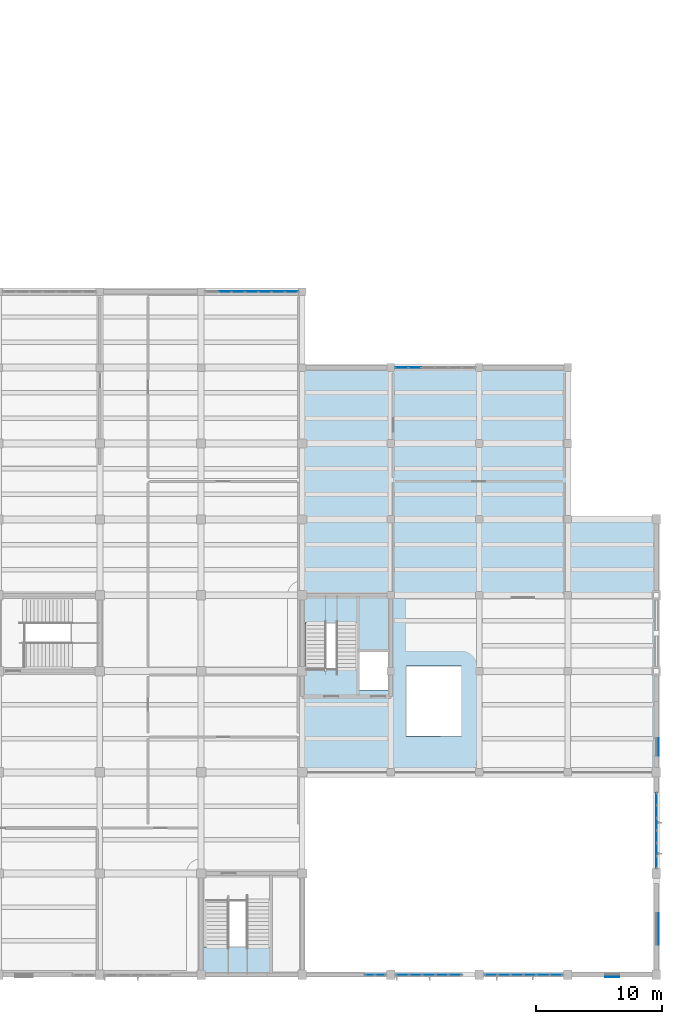
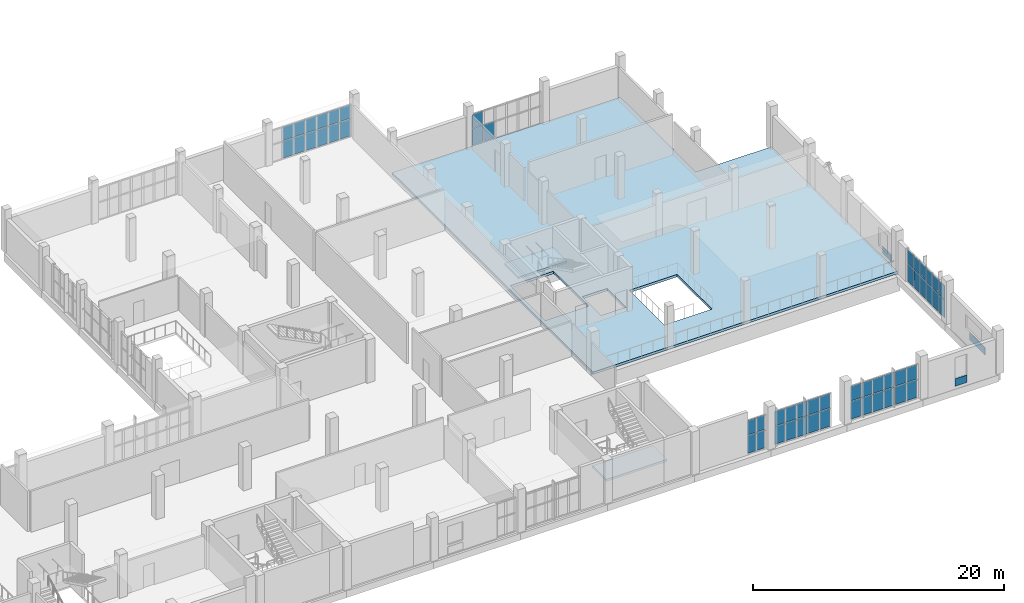
# One storey, part 59 of 85: 56 plates, 3 slabs, 8 elements without a shape of their own.
"""IFC4 building model written with IfcOpenShell, lengths in metres."""

from ifc_helpers import new_model, si_unit, direction, frame, origin, origin_2d, place, context, subcontext, project, spatial, polyline, rectangle, outline, extrude, material, layer, layer_set, type_object, element, aggregate, save


model = new_model("IFC4")

# Units and contexts
model_context = context("Model", 3, precision=1e-05, world=origin(), true_north=direction((0.0, 1.0)))
body_context = subcontext(model_context, "Body", "Model", "MODEL_VIEW")
ifc_project = project(units=[si_unit("LENGTHUNIT", "METRE"), si_unit("AREAUNIT", "SQUARE_METRE"), si_unit("VOLUMEUNIT", "CUBIC_METRE"), si_unit("PLANEANGLEUNIT", "RADIAN"), si_unit("MASSUNIT", "GRAM", prefix="KILO")], contexts=[model_context])

# Site, building, storey
site_placement = place(None, origin())
site = spatial("IfcSite", under=ifc_project, at=site_placement, CompositionType="ELEMENT")
building_placement = place(site_placement, origin())
building = spatial("IfcBuilding", under=site, at=building_placement, Name="Solvane Community Centre", CompositionType="ELEMENT")
storey_placement = place(building_placement, frame((0.0, 0.0, 5.39990234375)))
storey = spatial("IfcBuildingStorey", under=building, at=storey_placement, Name="L01", CompositionType="ELEMENT", Elevation=5.39990234375)

# Plates
ifc_material_1 = material(Name="Anodised bronze aluminium AW-6063 T6", Category="aluminium")
ifc_layer_1 = layer(ifc_material_1, 0.02392578125)
ifc_layer_set_1 = layer_set([ifc_layer_1], Name="Anodised bronze aluminium AW-6063 T6")
plate_type_1 = type_object("IfcPlateType", Name="Bronze Spandrel Cassette 24mm", PredefinedType="SHEET", material=ifc_layer_set_1)
plate_1_placement = place(storey_placement, frame((164.5, 5.81298828125, 0.06005859375), z_axis=(0.0, 0.0, 1.0), x_axis=(-1.0, 0.0, 0.0)))
element("IfcPlate", 1, at=plate_1_placement, inside=storey, type_object=plate_type_1, Name="Art Deco Spandrel SPC-L01-022", PredefinedType="SHEET", context=body_context, shape_type="SweptSolid", body=[
    extrude(rectangle(XDim=1.10009765625, YDim=0.02392578125, at=origin_2d()), origin(), (0.0, 0.0, 1.0), 0.719970703125),
])
plate_2_placement = place(storey_placement, frame((168.18701171875, 24.0, 0.06005859375), z_axis=(0.0, 0.0, 1.0), x_axis=(0.0, -1.0, 0.0)))
element("IfcPlate", 2, at=plate_2_placement, inside=storey, type_object=plate_type_1, Name="Art Deco Spandrel SPC-L01-027", PredefinedType="SHEET", context=body_context, shape_type="SweptSolid", body=[
    extrude(rectangle(XDim=1.39990234375, YDim=0.02392578125, at=origin_2d()), origin(), (0.0, 0.0, 1.0), 0.719970703125),
])
plate_3_placement = place(storey_placement, frame((168.18701171875, 9.60009765625, 0.06005859375), z_axis=(0.0, 0.0, 1.0), x_axis=(0.0, -1.0, 0.0)))
element("IfcPlate", 3, at=plate_3_placement, inside=storey, type_object=plate_type_1, Name="Art Deco Spandrel SPC-L01-028", PredefinedType="SHEET", context=body_context, shape_type="SweptSolid", body=[
    extrude(rectangle(XDim=2.5, YDim=0.02392578125, at=origin_2d()), origin(), (0.0, 0.0, 1.0), 0.719970703125),
])

# Curtain wall, plates
ifc_layer_2 = layer(ifc_material_1, 0.18994140625)
ifc_layer_set_2 = layer_set([ifc_layer_2], Name="Anodised bronze aluminium AW-6063 T6")
curtain_wall_type_1 = type_object("IfcCurtainWallType", Name="Boulevard Bronze Vision Curtain Wall [17x33dm]", PredefinedType="NOTDEFINED", material=ifc_layer_set_2)
curtain_wall_1_placement = place(storey_placement, origin())
curtain_wall_1 = element("IfcCurtainWall", 4, at=curtain_wall_1_placement, inside=storey, type_object=curtain_wall_type_1, Name="Curtain Wall CW-L01-1466_60-075", PredefinedType="NOTDEFINED")
ifc_material_2 = material(Name="Tempered low-E double glazing", Category="glass")
ifc_layer_3 = layer(ifc_material_2, 0.028076171875)
ifc_layer_set_3 = layer_set([ifc_layer_3], Name="Tempered low-E double glazing")
plate_type_2 = type_object("IfcPlateType", Name="Low-E Vision Glazing Panel 28mm [17x33dm]", PredefinedType="CURTAIN_PANEL", material=ifc_layer_set_3)
plate_4_placement = place(storey_placement, frame((146.16943359375, 6.0, 0.06005859375), z_axis=(0.0, 0.0, 1.0), x_axis=(-1.0, 0.0, 0.0)))
plate_4 = element("IfcPlate", 5, at=plate_4_placement, type_object=plate_type_2, Name="CW02-17x33 panel 1.1", PredefinedType="CURTAIN_PANEL", context=body_context, shape_type="SweptSolid", body=[
    extrude(rectangle(XDim=0.7509765625, YDim=0.028076171875, at=origin_2d()), origin(), (0.0, 0.0, 1.0), 1.73291015625),
])
plate_5_placement = place(storey_placement, frame((146.16943359375, 6.0, 1.85302734375), z_axis=(0.0, 0.0, 1.0), x_axis=(-1.0, 0.0, 0.0)))
plate_5 = element("IfcPlate", 6, at=plate_5_placement, type_object=plate_type_2, Name="CW02-17x33 panel 1.2", PredefinedType="CURTAIN_PANEL", context=body_context, shape_type="SweptSolid", body=[
    extrude(rectangle(XDim=0.7509765625, YDim=0.028076171875, at=origin_2d()), origin(), (0.0, 0.0, 1.0), 1.402099609375),
])
plate_6_placement = place(storey_placement, frame((145.358642578125, 6.0, 0.06005859375), z_axis=(0.0, 0.0, 1.0), x_axis=(-1.0, 0.0, 0.0)))
plate_6 = element("IfcPlate", 7, at=plate_6_placement, type_object=plate_type_2, Name="CW02-17x33 panel 2.1", PredefinedType="CURTAIN_PANEL", context=body_context, shape_type="SweptSolid", body=[
    extrude(rectangle(XDim=0.7509765625, YDim=0.028076171875, at=origin_2d()), origin(), (0.0, 0.0, 1.0), 1.73291015625),
])
plate_7_placement = place(storey_placement, frame((145.358642578125, 6.0, 1.85302734375), z_axis=(0.0, 0.0, 1.0), x_axis=(-1.0, 0.0, 0.0)))
plate_7 = element("IfcPlate", 8, at=plate_7_placement, type_object=plate_type_2, Name="CW02-17x33 panel 2.2", PredefinedType="CURTAIN_PANEL", context=body_context, shape_type="SweptSolid", body=[
    extrude(rectangle(XDim=0.7509765625, YDim=0.028076171875, at=origin_2d()), origin(), (0.0, 0.0, 1.0), 1.402099609375),
])
aggregate(curtain_wall_1, [plate_4, plate_5, plate_6, plate_7])

ifc_layer_4 = layer(ifc_material_1, 0.18994140625)
ifc_layer_set_4 = layer_set([ifc_layer_4], Name="Anodised bronze aluminium AW-6063 T6")
curtain_wall_type_2 = type_object("IfcCurtainWallType", Name="Boulevard Bronze Vision Curtain Wall [52x33dm]", PredefinedType="NOTDEFINED", material=ifc_layer_set_4)
curtain_wall_2_placement = place(storey_placement, origin())
curtain_wall_2 = element("IfcCurtainWall", 9, at=curtain_wall_2_placement, inside=storey, type_object=curtain_wall_type_2, Name="Curtain Wall CW-L01-1526_60-074", PredefinedType="NOTDEFINED")
ifc_layer_5 = layer(ifc_material_2, 0.028076171875)
ifc_layer_set_5 = layer_set([ifc_layer_5], Name="Tempered low-E double glazing")
plate_type_3 = type_object("IfcPlateType", Name="Low-E Vision Glazing Panel 28mm [52x33dm]", PredefinedType="CURTAIN_PANEL", material=ifc_layer_set_5)
plate_8_placement = place(storey_placement, frame((152.078369140625, 6.0, 0.06005859375), z_axis=(0.0, 0.0, 1.0), x_axis=(-1.0, 0.0, 0.0)))
plate_8 = element("IfcPlate", 10, at=plate_8_placement, type_object=plate_type_3, Name="CW02-52x33 panel 1.1", PredefinedType="CURTAIN_PANEL", context=body_context, shape_type="SweptSolid", body=[
    extrude(rectangle(XDim=0.9541015625, YDim=0.028076171875, at=origin_2d()), origin(), (0.0, 0.0, 1.0), 1.73291015625),
])
plate_9_placement = place(storey_placement, frame((152.078369140625, 6.0, 1.85302734375), z_axis=(0.0, 0.0, 1.0), x_axis=(-1.0, 0.0, 0.0)))
plate_9 = element("IfcPlate", 11, at=plate_9_placement, type_object=plate_type_3, Name="CW02-52x33 panel 1.2", PredefinedType="CURTAIN_PANEL", context=body_context, shape_type="SweptSolid", body=[
    extrude(rectangle(XDim=0.9541015625, YDim=0.028076171875, at=origin_2d()), origin(), (0.0, 0.0, 1.0), 1.402099609375),
])
plate_10_placement = place(storey_placement, frame((151.04931640625, 6.0, 0.06005859375), z_axis=(0.0, 0.0, 1.0), x_axis=(-1.0, 0.0, 0.0)))
plate_10 = element("IfcPlate", 12, at=plate_10_placement, type_object=plate_type_3, Name="CW02-52x33 panel 2.1", PredefinedType="CURTAIN_PANEL", context=body_context, shape_type="SweptSolid", body=[
    extrude(rectangle(XDim=0.984130859375, YDim=0.028076171875, at=origin_2d()), origin(), (0.0, 0.0, 1.0), 1.73291015625),
])
plate_11_placement = place(storey_placement, frame((151.04931640625, 6.0, 1.85302734375), z_axis=(0.0, 0.0, 1.0), x_axis=(-1.0, 0.0, 0.0)))
plate_11 = element("IfcPlate", 13, at=plate_11_placement, type_object=plate_type_3, Name="CW02-52x33 panel 2.2", PredefinedType="CURTAIN_PANEL", context=body_context, shape_type="SweptSolid", body=[
    extrude(rectangle(XDim=0.984130859375, YDim=0.028076171875, at=origin_2d()), origin(), (0.0, 0.0, 1.0), 1.402099609375),
])
plate_12_placement = place(storey_placement, frame((150.005126953125, 6.0, 0.06005859375), z_axis=(0.0, 0.0, 1.0), x_axis=(-1.0, 0.0, 0.0)))
plate_12 = element("IfcPlate", 14, at=plate_12_placement, type_object=plate_type_3, Name="CW02-52x33 panel 3.1", PredefinedType="CURTAIN_PANEL", context=body_context, shape_type="SweptSolid", body=[
    extrude(rectangle(XDim=0.984130859375, YDim=0.028076171875, at=origin_2d()), origin(), (0.0, 0.0, 1.0), 1.73291015625),
])
plate_13_placement = place(storey_placement, frame((150.005126953125, 6.0, 1.85302734375), z_axis=(0.0, 0.0, 1.0), x_axis=(-1.0, 0.0, 0.0)))
plate_13 = element("IfcPlate", 15, at=plate_13_placement, type_object=plate_type_3, Name="CW02-52x33 panel 3.2", PredefinedType="CURTAIN_PANEL", context=body_context, shape_type="SweptSolid", body=[
    extrude(rectangle(XDim=0.984130859375, YDim=0.028076171875, at=origin_2d()), origin(), (0.0, 0.0, 1.0), 1.402099609375),
])
plate_14_placement = place(storey_placement, frame((148.961181640625, 6.0, 0.06005859375), z_axis=(0.0, 0.0, 1.0), x_axis=(-1.0, 0.0, 0.0)))
plate_14 = element("IfcPlate", 16, at=plate_14_placement, type_object=plate_type_3, Name="CW02-52x33 panel 4.1", PredefinedType="CURTAIN_PANEL", context=body_context, shape_type="SweptSolid", body=[
    extrude(rectangle(XDim=0.984130859375, YDim=0.028076171875, at=origin_2d()), origin(), (0.0, 0.0, 1.0), 1.73291015625),
])
plate_15_placement = place(storey_placement, frame((148.961181640625, 6.0, 1.85302734375), z_axis=(0.0, 0.0, 1.0), x_axis=(-1.0, 0.0, 0.0)))
plate_15 = element("IfcPlate", 17, at=plate_15_placement, type_object=plate_type_3, Name="CW02-52x33 panel 4.2", PredefinedType="CURTAIN_PANEL", context=body_context, shape_type="SweptSolid", body=[
    extrude(rectangle(XDim=0.984130859375, YDim=0.028076171875, at=origin_2d()), origin(), (0.0, 0.0, 1.0), 1.402099609375),
])
plate_16_placement = place(storey_placement, frame((147.93212890625, 6.0, 0.06005859375), z_axis=(0.0, 0.0, 1.0), x_axis=(-1.0, 0.0, 0.0)))
plate_16 = element("IfcPlate", 18, at=plate_16_placement, type_object=plate_type_3, Name="CW02-52x33 panel 5.1", PredefinedType="CURTAIN_PANEL", context=body_context, shape_type="SweptSolid", body=[
    extrude(rectangle(XDim=0.9541015625, YDim=0.028076171875, at=origin_2d()), origin(), (0.0, 0.0, 1.0), 1.73291015625),
])
plate_17_placement = place(storey_placement, frame((147.93212890625, 6.0, 1.85302734375), z_axis=(0.0, 0.0, 1.0), x_axis=(-1.0, 0.0, 0.0)))
plate_17 = element("IfcPlate", 19, at=plate_17_placement, type_object=plate_type_3, Name="CW02-52x33 panel 5.2", PredefinedType="CURTAIN_PANEL", context=body_context, shape_type="SweptSolid", body=[
    extrude(rectangle(XDim=0.9541015625, YDim=0.028076171875, at=origin_2d()), origin(), (0.0, 0.0, 1.0), 1.402099609375),
])
aggregate(curtain_wall_2, [plate_8, plate_9, plate_10, plate_11, plate_12, plate_13, plate_14, plate_15, plate_16, plate_17])

ifc_layer_6 = layer(ifc_material_1, 0.18994140625)
ifc_layer_set_6 = layer_set([ifc_layer_6], Name="Anodised bronze aluminium AW-6063 T6")
curtain_wall_type_3 = type_object("IfcCurtainWallType", Name="Boulevard Bronze Vision Curtain Wall [60x32dm]", PredefinedType="NOTDEFINED", material=ifc_layer_set_6)
curtain_wall_3_placement = place(storey_placement, origin())
curtain_wall_3 = element("IfcCurtainWall", 20, at=curtain_wall_3_placement, inside=storey, type_object=curtain_wall_type_3, Name="Curtain Wall CW-L01-1680_204-121", PredefinedType="NOTDEFINED")
ifc_layer_7 = layer(ifc_material_2, 0.028076171875)
ifc_layer_set_7 = layer_set([ifc_layer_7], Name="Tempered low-E double glazing")
plate_type_4 = type_object("IfcPlateType", Name="Low-E Vision Glazing Panel 28mm [60x32dm]", PredefinedType="CURTAIN_PANEL", material=ifc_layer_set_7)
plate_18_placement = place(storey_placement, frame((168.0, 19.884521484375, 0.06005859375), z_axis=(0.0, 0.0, 1.0), x_axis=(0.0, -1.0, 0.0)))
plate_18 = element("IfcPlate", 21, at=plate_18_placement, type_object=plate_type_4, Name="CW02-60x32 panel 1.1", PredefinedType="CURTAIN_PANEL", context=body_context, shape_type="SweptSolid", body=[
    extrude(rectangle(XDim=0.910888671875, YDim=0.028076171875, at=origin_2d()), origin(), (0.0, 0.0, 1.0), 1.68408203125),
])
plate_19_placement = place(storey_placement, frame((168.0, 19.884521484375, 1.80419921875), z_axis=(0.0, 0.0, 1.0), x_axis=(0.0, -1.0, 0.0)))
plate_19 = element("IfcPlate", 22, at=plate_19_placement, type_object=plate_type_4, Name="CW02-60x32 panel 1.2", PredefinedType="CURTAIN_PANEL", context=body_context, shape_type="SweptSolid", body=[
    extrude(rectangle(XDim=0.910888671875, YDim=0.028076171875, at=origin_2d()), origin(), (0.0, 0.0, 1.0), 1.361083984375),
])
plate_20_placement = place(storey_placement, frame((168.0, 18.898681640625, 0.06005859375), z_axis=(0.0, 0.0, 1.0), x_axis=(0.0, -1.0, 0.0)))
plate_20 = element("IfcPlate", 23, at=plate_20_placement, type_object=plate_type_4, Name="CW02-60x32 panel 2.1", PredefinedType="CURTAIN_PANEL", context=body_context, shape_type="SweptSolid", body=[
    extrude(rectangle(XDim=0.94091796875, YDim=0.028076171875, at=origin_2d()), origin(), (0.0, 0.0, 1.0), 1.68408203125),
])
plate_21_placement = place(storey_placement, frame((168.0, 18.898681640625, 1.80419921875), z_axis=(0.0, 0.0, 1.0), x_axis=(0.0, -1.0, 0.0)))
plate_21 = element("IfcPlate", 24, at=plate_21_placement, type_object=plate_type_4, Name="CW02-60x32 panel 2.2", PredefinedType="CURTAIN_PANEL", context=body_context, shape_type="SweptSolid", body=[
    extrude(rectangle(XDim=0.94091796875, YDim=0.028076171875, at=origin_2d()), origin(), (0.0, 0.0, 1.0), 1.361083984375),
])
plate_22_placement = place(storey_placement, frame((168.0, 17.89794921875, 0.06005859375), z_axis=(0.0, 0.0, 1.0), x_axis=(0.0, -1.0, 0.0)))
plate_22 = element("IfcPlate", 25, at=plate_22_placement, type_object=plate_type_4, Name="CW02-60x32 panel 3.1", PredefinedType="CURTAIN_PANEL", context=body_context, shape_type="SweptSolid", body=[
    extrude(rectangle(XDim=0.94091796875, YDim=0.028076171875, at=origin_2d()), origin(), (0.0, 0.0, 1.0), 1.68408203125),
])
plate_23_placement = place(storey_placement, frame((168.0, 17.89794921875, 1.80419921875), z_axis=(0.0, 0.0, 1.0), x_axis=(0.0, -1.0, 0.0)))
plate_23 = element("IfcPlate", 26, at=plate_23_placement, type_object=plate_type_4, Name="CW02-60x32 panel 3.2", PredefinedType="CURTAIN_PANEL", context=body_context, shape_type="SweptSolid", body=[
    extrude(rectangle(XDim=0.94091796875, YDim=0.028076171875, at=origin_2d()), origin(), (0.0, 0.0, 1.0), 1.361083984375),
])
plate_24_placement = place(storey_placement, frame((168.0, 16.89697265625, 0.06005859375), z_axis=(0.0, 0.0, 1.0), x_axis=(0.0, -1.0, 0.0)))
plate_24 = element("IfcPlate", 27, at=plate_24_placement, type_object=plate_type_4, Name="CW02-60x32 panel 4.1", PredefinedType="CURTAIN_PANEL", context=body_context, shape_type="SweptSolid", body=[
    extrude(rectangle(XDim=0.94091796875, YDim=0.028076171875, at=origin_2d()), origin(), (0.0, 0.0, 1.0), 1.68408203125),
])
plate_25_placement = place(storey_placement, frame((168.0, 16.89697265625, 1.80419921875), z_axis=(0.0, 0.0, 1.0), x_axis=(0.0, -1.0, 0.0)))
plate_25 = element("IfcPlate", 28, at=plate_25_placement, type_object=plate_type_4, Name="CW02-60x32 panel 4.2", PredefinedType="CURTAIN_PANEL", context=body_context, shape_type="SweptSolid", body=[
    extrude(rectangle(XDim=0.94091796875, YDim=0.028076171875, at=origin_2d()), origin(), (0.0, 0.0, 1.0), 1.361083984375),
])
plate_26_placement = place(storey_placement, frame((168.0, 15.896240234375, 0.06005859375), z_axis=(0.0, 0.0, 1.0), x_axis=(0.0, -1.0, 0.0)))
plate_26 = element("IfcPlate", 29, at=plate_26_placement, type_object=plate_type_4, Name="CW02-60x32 panel 5.1", PredefinedType="CURTAIN_PANEL", context=body_context, shape_type="SweptSolid", body=[
    extrude(rectangle(XDim=0.94091796875, YDim=0.028076171875, at=origin_2d()), origin(), (0.0, 0.0, 1.0), 1.68408203125),
])
plate_27_placement = place(storey_placement, frame((168.0, 15.896240234375, 1.80419921875), z_axis=(0.0, 0.0, 1.0), x_axis=(0.0, -1.0, 0.0)))
plate_27 = element("IfcPlate", 30, at=plate_27_placement, type_object=plate_type_4, Name="CW02-60x32 panel 5.2", PredefinedType="CURTAIN_PANEL", context=body_context, shape_type="SweptSolid", body=[
    extrude(rectangle(XDim=0.94091796875, YDim=0.028076171875, at=origin_2d()), origin(), (0.0, 0.0, 1.0), 1.361083984375),
])
plate_28_placement = place(storey_placement, frame((168.0, 14.910400390625, 0.06005859375), z_axis=(0.0, 0.0, 1.0), x_axis=(0.0, -1.0, 0.0)))
plate_28 = element("IfcPlate", 31, at=plate_28_placement, type_object=plate_type_4, Name="CW02-60x32 panel 6.1", PredefinedType="CURTAIN_PANEL", context=body_context, shape_type="SweptSolid", body=[
    extrude(rectangle(XDim=0.910888671875, YDim=0.028076171875, at=origin_2d()), origin(), (0.0, 0.0, 1.0), 1.68408203125),
])
plate_29_placement = place(storey_placement, frame((168.0, 14.910400390625, 1.80419921875), z_axis=(0.0, 0.0, 1.0), x_axis=(0.0, -1.0, 0.0)))
plate_29 = element("IfcPlate", 32, at=plate_29_placement, type_object=plate_type_4, Name="CW02-60x32 panel 6.2", PredefinedType="CURTAIN_PANEL", context=body_context, shape_type="SweptSolid", body=[
    extrude(rectangle(XDim=0.910888671875, YDim=0.028076171875, at=origin_2d()), origin(), (0.0, 0.0, 1.0), 1.361083984375),
])
aggregate(curtain_wall_3, [plate_18, plate_19, plate_20, plate_21, plate_22, plate_23, plate_24, plate_25, plate_26, plate_27, plate_28, plate_29])

ifc_layer_8 = layer(ifc_material_1, 0.18994140625)
ifc_layer_set_8 = layer_set([ifc_layer_8], Name="Anodised bronze aluminium AW-6063 T6")
curtain_wall_type_4 = type_object("IfcCurtainWallType", Name="Boulevard Bronze Vision Curtain Wall [62x33dm]", PredefinedType="NOTDEFINED", material=ifc_layer_set_8)
curtain_wall_4_placement = place(storey_placement, origin())
curtain_wall_4 = element("IfcCurtainWall", 33, at=curtain_wall_4_placement, inside=storey, type_object=curtain_wall_type_4, Name="Curtain Wall CW-L01-1606_60-073", PredefinedType="NOTDEFINED")
ifc_layer_9 = layer(ifc_material_2, 0.028076171875)
ifc_layer_set_9 = layer_set([ifc_layer_9], Name="Tempered low-E double glazing")
plate_type_5 = type_object("IfcPlateType", Name="Low-E Vision Glazing Panel 28mm [62x33dm]", PredefinedType="CURTAIN_PANEL", material=ifc_layer_set_9)
plate_30_placement = place(storey_placement, frame((160.072509765625, 6.0, 0.06005859375), z_axis=(0.0, 0.0, 1.0), x_axis=(-1.0, 0.0, 0.0)))
plate_30 = element("IfcPlate", 34, at=plate_30_placement, type_object=plate_type_5, Name="CW02-62x33 panel 1.1", PredefinedType="CURTAIN_PANEL", context=body_context, shape_type="SweptSolid", body=[
    extrude(rectangle(XDim=0.945068359375, YDim=0.028076171875, at=origin_2d()), origin(), (0.0, 0.0, 1.0), 1.73291015625),
])
plate_31_placement = place(storey_placement, frame((160.072509765625, 6.0, 1.85302734375), z_axis=(0.0, 0.0, 1.0), x_axis=(-1.0, 0.0, 0.0)))
plate_31 = element("IfcPlate", 35, at=plate_31_placement, type_object=plate_type_5, Name="CW02-62x33 panel 1.2", PredefinedType="CURTAIN_PANEL", context=body_context, shape_type="SweptSolid", body=[
    extrude(rectangle(XDim=0.945068359375, YDim=0.028076171875, at=origin_2d()), origin(), (0.0, 0.0, 1.0), 1.402099609375),
])
plate_32_placement = place(storey_placement, frame((159.052490234375, 6.0, 0.06005859375), z_axis=(0.0, 0.0, 1.0), x_axis=(-1.0, 0.0, 0.0)))
plate_32 = element("IfcPlate", 36, at=plate_32_placement, type_object=plate_type_5, Name="CW02-62x33 panel 2.1", PredefinedType="CURTAIN_PANEL", context=body_context, shape_type="SweptSolid", body=[
    extrude(rectangle(XDim=0.97509765625, YDim=0.028076171875, at=origin_2d()), origin(), (0.0, 0.0, 1.0), 1.73291015625),
])
plate_33_placement = place(storey_placement, frame((159.052490234375, 6.0, 1.85302734375), z_axis=(0.0, 0.0, 1.0), x_axis=(-1.0, 0.0, 0.0)))
plate_33 = element("IfcPlate", 37, at=plate_33_placement, type_object=plate_type_5, Name="CW02-62x33 panel 2.2", PredefinedType="CURTAIN_PANEL", context=body_context, shape_type="SweptSolid", body=[
    extrude(rectangle(XDim=0.97509765625, YDim=0.028076171875, at=origin_2d()), origin(), (0.0, 0.0, 1.0), 1.402099609375),
])
plate_34_placement = place(storey_placement, frame((158.017578125, 6.0, 0.06005859375), z_axis=(0.0, 0.0, 1.0), x_axis=(-1.0, 0.0, 0.0)))
plate_34 = element("IfcPlate", 38, at=plate_34_placement, type_object=plate_type_5, Name="CW02-62x33 panel 3.1", PredefinedType="CURTAIN_PANEL", context=body_context, shape_type="SweptSolid", body=[
    extrude(rectangle(XDim=0.97509765625, YDim=0.028076171875, at=origin_2d()), origin(), (0.0, 0.0, 1.0), 1.73291015625),
])
plate_35_placement = place(storey_placement, frame((158.017578125, 6.0, 1.85302734375), z_axis=(0.0, 0.0, 1.0), x_axis=(-1.0, 0.0, 0.0)))
plate_35 = element("IfcPlate", 39, at=plate_35_placement, type_object=plate_type_5, Name="CW02-62x33 panel 3.2", PredefinedType="CURTAIN_PANEL", context=body_context, shape_type="SweptSolid", body=[
    extrude(rectangle(XDim=0.97509765625, YDim=0.028076171875, at=origin_2d()), origin(), (0.0, 0.0, 1.0), 1.402099609375),
])
plate_36_placement = place(storey_placement, frame((156.982421875, 6.0, 0.06005859375), z_axis=(0.0, 0.0, 1.0), x_axis=(-1.0, 0.0, 0.0)))
plate_36 = element("IfcPlate", 40, at=plate_36_placement, type_object=plate_type_5, Name="CW02-62x33 panel 4.1", PredefinedType="CURTAIN_PANEL", context=body_context, shape_type="SweptSolid", body=[
    extrude(rectangle(XDim=0.97509765625, YDim=0.028076171875, at=origin_2d()), origin(), (0.0, 0.0, 1.0), 1.73291015625),
])
plate_37_placement = place(storey_placement, frame((156.982421875, 6.0, 1.85302734375), z_axis=(0.0, 0.0, 1.0), x_axis=(-1.0, 0.0, 0.0)))
plate_37 = element("IfcPlate", 41, at=plate_37_placement, type_object=plate_type_5, Name="CW02-62x33 panel 4.2", PredefinedType="CURTAIN_PANEL", context=body_context, shape_type="SweptSolid", body=[
    extrude(rectangle(XDim=0.97509765625, YDim=0.028076171875, at=origin_2d()), origin(), (0.0, 0.0, 1.0), 1.402099609375),
])
plate_38_placement = place(storey_placement, frame((155.947509765625, 6.0, 0.06005859375), z_axis=(0.0, 0.0, 1.0), x_axis=(-1.0, 0.0, 0.0)))
plate_38 = element("IfcPlate", 42, at=plate_38_placement, type_object=plate_type_5, Name="CW02-62x33 panel 5.1", PredefinedType="CURTAIN_PANEL", context=body_context, shape_type="SweptSolid", body=[
    extrude(rectangle(XDim=0.97509765625, YDim=0.028076171875, at=origin_2d()), origin(), (0.0, 0.0, 1.0), 1.73291015625),
])
plate_39_placement = place(storey_placement, frame((155.947509765625, 6.0, 1.85302734375), z_axis=(0.0, 0.0, 1.0), x_axis=(-1.0, 0.0, 0.0)))
plate_39 = element("IfcPlate", 43, at=plate_39_placement, type_object=plate_type_5, Name="CW02-62x33 panel 5.2", PredefinedType="CURTAIN_PANEL", context=body_context, shape_type="SweptSolid", body=[
    extrude(rectangle(XDim=0.97509765625, YDim=0.028076171875, at=origin_2d()), origin(), (0.0, 0.0, 1.0), 1.402099609375),
])
plate_40_placement = place(storey_placement, frame((154.927490234375, 6.0, 0.06005859375), z_axis=(0.0, 0.0, 1.0), x_axis=(-1.0, 0.0, 0.0)))
plate_40 = element("IfcPlate", 44, at=plate_40_placement, type_object=plate_type_5, Name="CW02-62x33 panel 6.1", PredefinedType="CURTAIN_PANEL", context=body_context, shape_type="SweptSolid", body=[
    extrude(rectangle(XDim=0.945068359375, YDim=0.028076171875, at=origin_2d()), origin(), (0.0, 0.0, 1.0), 1.73291015625),
])
plate_41_placement = place(storey_placement, frame((154.927490234375, 6.0, 1.85302734375), z_axis=(0.0, 0.0, 1.0), x_axis=(-1.0, 0.0, 0.0)))
plate_41 = element("IfcPlate", 45, at=plate_41_placement, type_object=plate_type_5, Name="CW02-62x33 panel 6.2", PredefinedType="CURTAIN_PANEL", context=body_context, shape_type="SweptSolid", body=[
    extrude(rectangle(XDim=0.945068359375, YDim=0.028076171875, at=origin_2d()), origin(), (0.0, 0.0, 1.0), 1.402099609375),
])
aggregate(curtain_wall_4, [plate_30, plate_31, plate_32, plate_33, plate_34, plate_35, plate_36, plate_37, plate_38, plate_39, plate_40, plate_41])

ifc_layer_10 = layer(ifc_material_1, 0.18994140625)
ifc_layer_set_10 = layer_set([ifc_layer_10], Name="Anodised bronze aluminium AW-6063 T6")
curtain_wall_type_5 = type_object("IfcCurtainWallType", Name="Boulevard Bronze Vision Curtain Wall [64x31dm]", PredefinedType="NOTDEFINED", material=ifc_layer_set_10)
curtain_wall_5_placement = place(storey_placement, origin())
curtain_wall_5 = element("IfcCurtainWall", 46, at=curtain_wall_5_placement, inside=storey, type_object=curtain_wall_type_5, Name="Curtain Wall CW-L01-1473_540-120", PredefinedType="NOTDEFINED")
ifc_layer_11 = layer(ifc_material_2, 0.028076171875)
ifc_layer_set_11 = layer_set([ifc_layer_11], Name="Tempered low-E double glazing")
plate_type_6 = type_object("IfcPlateType", Name="Low-E Vision Glazing Panel 28mm [64x31dm]", PredefinedType="CURTAIN_PANEL", material=ifc_layer_set_11)
plate_42_placement = place(storey_placement, frame((147.864990234375, 54.0, 0.06005859375), z_axis=(0.0, 0.0, 1.0), x_axis=(1.0, 0.0, 0.0)))
plate_42 = element("IfcPlate", 47, at=plate_42_placement, type_object=plate_type_6, Name="CW02-64x31 panel 1.1", PredefinedType="CURTAIN_PANEL", context=body_context, shape_type="SweptSolid", body=[
    extrude(rectangle(XDim=0.969970703125, YDim=0.028076171875, at=origin_2d()), origin(), (0.0, 0.0, 1.0), 1.634033203125),
])
plate_43_placement = place(storey_placement, frame((147.864990234375, 54.0, 1.75390625), z_axis=(0.0, 0.0, 1.0), x_axis=(1.0, 0.0, 0.0)))
plate_43 = element("IfcPlate", 48, at=plate_43_placement, type_object=plate_type_6, Name="CW02-64x31 panel 1.2", PredefinedType="CURTAIN_PANEL", context=body_context, shape_type="SweptSolid", body=[
    extrude(rectangle(XDim=0.969970703125, YDim=0.028076171875, at=origin_2d()), origin(), (0.0, 0.0, 1.0), 1.321044921875),
])
plate_44_placement = place(storey_placement, frame((148.909912109375, 54.0, 0.06005859375), z_axis=(0.0, 0.0, 1.0), x_axis=(1.0, 0.0, 0.0)))
plate_44 = element("IfcPlate", 49, at=plate_44_placement, type_object=plate_type_6, Name="CW02-64x31 panel 2.1", PredefinedType="CURTAIN_PANEL", context=body_context, shape_type="SweptSolid", body=[
    extrude(rectangle(XDim=1.0, YDim=0.028076171875, at=origin_2d()), origin(), (0.0, 0.0, 1.0), 1.634033203125),
])
aggregate(curtain_wall_5, [plate_42, plate_43, plate_44])

ifc_layer_12 = layer(ifc_material_1, 0.18994140625)
ifc_layer_set_12 = layer_set([ifc_layer_12], Name="Anodised bronze aluminium AW-6063 T6")
curtain_wall_type_6 = type_object("IfcCurtainWallType", Name="Boulevard Bronze Vision Curtain Wall [74x32dm]", PredefinedType="NOTDEFINED", material=ifc_layer_set_12)
curtain_wall_6_placement = place(storey_placement, origin())
curtain_wall_6 = element("IfcCurtainWall", 50, at=curtain_wall_6_placement, inside=storey, type_object=curtain_wall_type_6, Name="Curtain Wall CW-L01-1323_600-119", PredefinedType="NOTDEFINED")
ifc_layer_13 = layer(ifc_material_2, 0.028076171875)
ifc_layer_set_13 = layer_set([ifc_layer_13], Name="Tempered low-E double glazing")
plate_type_7 = type_object("IfcPlateType", Name="Low-E Vision Glazing Panel 28mm [74x32dm]", PredefinedType="CURTAIN_PANEL", material=ifc_layer_set_13)
plate_45_placement = place(storey_placement, frame((133.894287109375, 60.0, 0.06005859375), z_axis=(0.0, 0.0, 1.0), x_axis=(1.0, 0.0, 0.0)))
plate_45 = element("IfcPlate", 51, at=plate_45_placement, type_object=plate_type_7, Name="CW02-74x32 panel 2.1", PredefinedType="CURTAIN_PANEL", context=body_context, shape_type="SweptSolid", body=[
    extrude(rectangle(XDim=0.992919921875, YDim=0.028076171875, at=origin_2d()), origin(), (0.0, 0.0, 1.0), 1.65087890625),
])
plate_46_placement = place(storey_placement, frame((133.894287109375, 60.0, 1.77099609375), z_axis=(0.0, 0.0, 1.0), x_axis=(1.0, 0.0, 0.0)))
plate_46 = element("IfcPlate", 52, at=plate_46_placement, type_object=plate_type_7, Name="CW02-74x32 panel 2.2", PredefinedType="CURTAIN_PANEL", context=body_context, shape_type="SweptSolid", body=[
    extrude(rectangle(XDim=0.992919921875, YDim=0.028076171875, at=origin_2d()), origin(), (0.0, 0.0, 1.0), 1.333984375),
])
plate_47_placement = place(storey_placement, frame((134.947021484375, 60.0, 0.06005859375), z_axis=(0.0, 0.0, 1.0), x_axis=(1.0, 0.0, 0.0)))
plate_47 = element("IfcPlate", 53, at=plate_47_placement, type_object=plate_type_7, Name="CW02-74x32 panel 3.1", PredefinedType="CURTAIN_PANEL", context=body_context, shape_type="SweptSolid", body=[
    extrude(rectangle(XDim=0.992919921875, YDim=0.028076171875, at=origin_2d()), origin(), (0.0, 0.0, 1.0), 1.65087890625),
])
plate_48_placement = place(storey_placement, frame((134.947021484375, 60.0, 1.77099609375), z_axis=(0.0, 0.0, 1.0), x_axis=(1.0, 0.0, 0.0)))
plate_48 = element("IfcPlate", 54, at=plate_48_placement, type_object=plate_type_7, Name="CW02-74x32 panel 3.2", PredefinedType="CURTAIN_PANEL", context=body_context, shape_type="SweptSolid", body=[
    extrude(rectangle(XDim=0.992919921875, YDim=0.028076171875, at=origin_2d()), origin(), (0.0, 0.0, 1.0), 1.333984375),
])
plate_49_placement = place(storey_placement, frame((136.0, 60.0, 0.06005859375), z_axis=(0.0, 0.0, 1.0), x_axis=(1.0, 0.0, 0.0)))
plate_49 = element("IfcPlate", 55, at=plate_49_placement, type_object=plate_type_7, Name="CW02-74x32 panel 4.1", PredefinedType="CURTAIN_PANEL", context=body_context, shape_type="SweptSolid", body=[
    extrude(rectangle(XDim=0.992919921875, YDim=0.028076171875, at=origin_2d()), origin(), (0.0, 0.0, 1.0), 1.65087890625),
])
plate_50_placement = place(storey_placement, frame((136.0, 60.0, 1.77099609375), z_axis=(0.0, 0.0, 1.0), x_axis=(1.0, 0.0, 0.0)))
plate_50 = element("IfcPlate", 56, at=plate_50_placement, type_object=plate_type_7, Name="CW02-74x32 panel 4.2", PredefinedType="CURTAIN_PANEL", context=body_context, shape_type="SweptSolid", body=[
    extrude(rectangle(XDim=0.992919921875, YDim=0.028076171875, at=origin_2d()), origin(), (0.0, 0.0, 1.0), 1.333984375),
])
plate_51_placement = place(storey_placement, frame((137.052978515625, 60.0, 0.06005859375), z_axis=(0.0, 0.0, 1.0), x_axis=(1.0, 0.0, 0.0)))
plate_51 = element("IfcPlate", 57, at=plate_51_placement, type_object=plate_type_7, Name="CW02-74x32 panel 5.1", PredefinedType="CURTAIN_PANEL", context=body_context, shape_type="SweptSolid", body=[
    extrude(rectangle(XDim=0.992919921875, YDim=0.028076171875, at=origin_2d()), origin(), (0.0, 0.0, 1.0), 1.65087890625),
])
plate_52_placement = place(storey_placement, frame((137.052978515625, 60.0, 1.77099609375), z_axis=(0.0, 0.0, 1.0), x_axis=(1.0, 0.0, 0.0)))
plate_52 = element("IfcPlate", 58, at=plate_52_placement, type_object=plate_type_7, Name="CW02-74x32 panel 5.2", PredefinedType="CURTAIN_PANEL", context=body_context, shape_type="SweptSolid", body=[
    extrude(rectangle(XDim=0.992919921875, YDim=0.028076171875, at=origin_2d()), origin(), (0.0, 0.0, 1.0), 1.333984375),
])
plate_53_placement = place(storey_placement, frame((138.105712890625, 60.0, 0.06005859375), z_axis=(0.0, 0.0, 1.0), x_axis=(1.0, 0.0, 0.0)))
plate_53 = element("IfcPlate", 59, at=plate_53_placement, type_object=plate_type_7, Name="CW02-74x32 panel 6.1", PredefinedType="CURTAIN_PANEL", context=body_context, shape_type="SweptSolid", body=[
    extrude(rectangle(XDim=0.992919921875, YDim=0.028076171875, at=origin_2d()), origin(), (0.0, 0.0, 1.0), 1.65087890625),
])
plate_54_placement = place(storey_placement, frame((138.105712890625, 60.0, 1.77099609375), z_axis=(0.0, 0.0, 1.0), x_axis=(1.0, 0.0, 0.0)))
plate_54 = element("IfcPlate", 60, at=plate_54_placement, type_object=plate_type_7, Name="CW02-74x32 panel 6.2", PredefinedType="CURTAIN_PANEL", context=body_context, shape_type="SweptSolid", body=[
    extrude(rectangle(XDim=0.992919921875, YDim=0.028076171875, at=origin_2d()), origin(), (0.0, 0.0, 1.0), 1.333984375),
])
plate_55_placement = place(storey_placement, frame((139.1435546875, 60.0, 0.06005859375), z_axis=(0.0, 0.0, 1.0), x_axis=(1.0, 0.0, 0.0)))
plate_55 = element("IfcPlate", 61, at=plate_55_placement, type_object=plate_type_7, Name="CW02-74x32 panel 7.1", PredefinedType="CURTAIN_PANEL", context=body_context, shape_type="SweptSolid", body=[
    extrude(rectangle(XDim=0.962890625, YDim=0.028076171875, at=origin_2d()), origin(), (0.0, 0.0, 1.0), 1.65087890625),
])
plate_56_placement = place(storey_placement, frame((139.1435546875, 60.0, 1.77099609375), z_axis=(0.0, 0.0, 1.0), x_axis=(1.0, 0.0, 0.0)))
plate_56 = element("IfcPlate", 62, at=plate_56_placement, type_object=plate_type_7, Name="CW02-74x32 panel 7.2", PredefinedType="CURTAIN_PANEL", context=body_context, shape_type="SweptSolid", body=[
    extrude(rectangle(XDim=0.962890625, YDim=0.028076171875, at=origin_2d()), origin(), (0.0, 0.0, 1.0), 1.333984375),
])
aggregate(curtain_wall_6, [plate_45, plate_46, plate_47, plate_48, plate_49, plate_50, plate_51, plate_52, plate_53, plate_54, plate_55, plate_56])

# Slab
ifc_material_3 = material(Name="Concrete C35/45", Category="concrete")
ifc_layer_14 = layer(ifc_material_3, 0.239990234375)
ifc_layer_set_14 = layer_set([ifc_layer_14], Name="Concrete C35/45")
slab_type_1 = type_object("IfcSlabType", Name="RC Podium Floor Slab 240mm [FP-L01-V3]", PredefinedType="FLOOR", material=ifc_layer_set_14)
slab_1_placement = place(storey_placement, frame((0.0, 0.0, -0.239990234375)))
element("IfcSlab", 63, at=slab_1_placement, inside=storey, type_object=slab_type_1, Name="Floor Slab FP-L01-V3", PredefinedType="FLOOR", context=body_context, shape_type="SweptSolid", body=[
    extrude(outline(polyline([(140.0, 22.0), (168.0, 22.0), (168.0, 42.0), (161.0, 42.0), (161.0, 54.0), (140.0, 54.0), (140.0, 22.0)]), holes=[polyline([(140.300048828125, 30.1201171875), (144.300048828125, 30.1201171875), (144.300048828125, 35.699951171875), (140.300048828125, 35.699951171875), (140.300048828125, 30.1201171875)]), polyline([(144.5, 28.5), (146.800048828125, 28.5), (146.800048828125, 31.5), (144.5, 31.5), (144.5, 28.5)]), polyline([(148.199951171875, 24.840087890625), (152.60009765625, 24.840087890625), (152.60009765625, 30.39990234375), (148.199951171875, 30.39990234375), (148.199951171875, 24.840087890625)])]), origin(), (0.0, 0.0, 1.0), 0.239990234375),
])

# Stair, slab
stair_type_1 = type_object("IfcStairType", Name="RC Two-Flight Escape Stair 1720mm", PredefinedType="TWO_STRAIGHT_RUN_STAIR", material=ifc_material_3)
stair_1_placement = place(storey_placement, origin())
stair_1 = element("IfcStair", 64, at=stair_1_placement, inside=storey, type_object=stair_type_1, Name="Stair STR-C3-L01", PredefinedType="TWO_STRAIGHT_RUN_STAIR")
ifc_layer_15 = layer(ifc_material_3, 0.199951171875)
ifc_layer_set_15 = layer_set([ifc_layer_15], Name="Concrete C35/45")
slab_type_2 = type_object("IfcSlabType", Name="RC Stair Half-Landing Slab 200mm", PredefinedType="LANDING", material=ifc_layer_set_15)
slab_2_placement = place(storey_placement, frame((0.0, 0.0, 1.900146484375)))
slab_2 = element("IfcSlab", 65, at=slab_2_placement, type_object=slab_type_2, Name="ST-05 landing 1", PredefinedType="LANDING", context=body_context, shape_type="SweptSolid", body=[
    extrude(outline(polyline([(131.9599609375, 5.9599609375), (137.56005859375, 5.9599609375), (137.56005859375, 8.199951171875), (131.9599609375, 8.199951171875), (131.9599609375, 5.9599609375)])), origin(), (0.0, 0.0, 1.0), 0.199951171875),
])
aggregate(stair_1, [slab_2])

stair_type_2 = type_object("IfcStairType", Name="RC Two-Flight Escape Stair 1520mm", PredefinedType="TWO_STRAIGHT_RUN_STAIR", material=ifc_material_3)
stair_2_placement = place(storey_placement, origin())
stair_2 = element("IfcStair", 66, at=stair_2_placement, inside=storey, type_object=stair_type_2, Name="Stair STR-C6-L01", PredefinedType="TWO_STRAIGHT_RUN_STAIR")
slab_3_placement = place(storey_placement, frame((0.0, 0.0, 1.900146484375)))
slab_3 = element("IfcSlab", 67, at=slab_3_placement, type_object=slab_type_2, Name="ST-04 landing 1", PredefinedType="LANDING", context=body_context, shape_type="SweptSolid", body=[
    extrude(outline(polyline([(139.9599609375, 33.800048828125), (144.43994140625, 33.800048828125), (144.43994140625, 36.0400390625), (139.9599609375, 36.0400390625), (139.9599609375, 33.800048828125)])), origin(), (0.0, 0.0, 1.0), 0.199951171875),
])
aggregate(stair_2, [slab_3])

save(model, "model.ifc")
